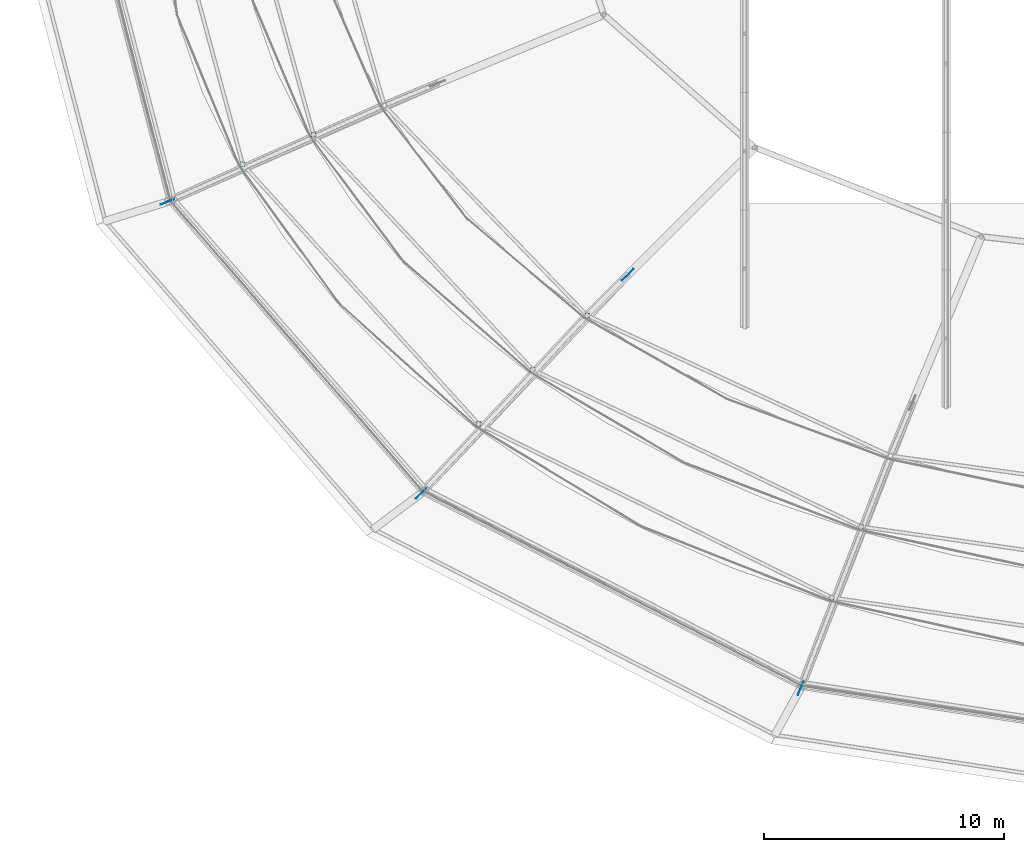
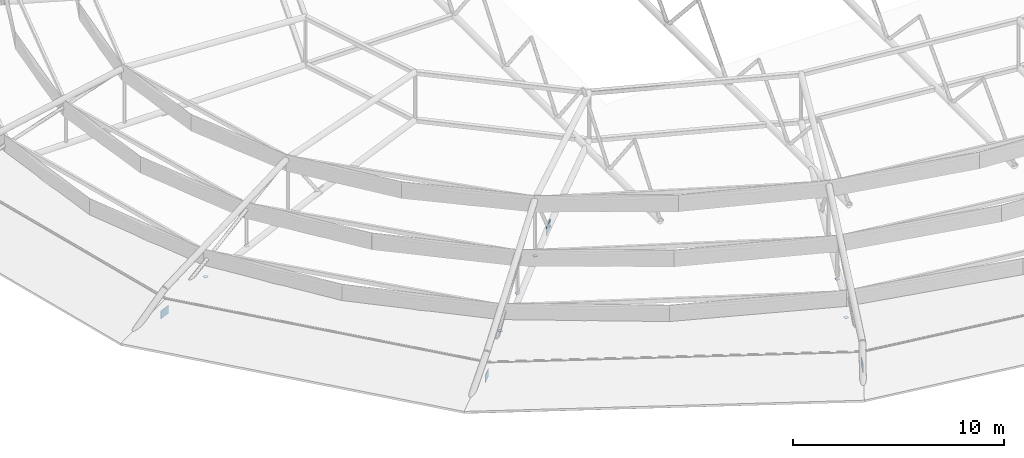
# One storey, part 113 of 134: 11 plates.
"""IFC4 building model written with IfcOpenShell, lengths in metres."""

import ifcopenshell
import ifcopenshell.guid

model = None  # the IFC model being written
_history = None  # IfcOwnerHistory: only IFC2X3 demands one
_inside = {}  # id of a spatial element -> (the spatial element, [elements in it])
_under = {}  # id of a project, library or spatial element -> (it, [spatial elements below it])
_declared = {}  # id of a project -> (the project, [libraries it declares])
_typed = {}  # id of a type object -> (the type object, [elements of that type])
_made_of = {}  # id of a material, layer set ... -> (it, [elements and type objects made of it])


def new_model(schema):
    """Start an empty IFC model of exactly this schema.

    Asked for "IFC4X3", IfcOpenShell would pick the latest addendum, in which some entities
    have other attributes; the version numbers below select the first issue.
    IFC2X3 requires an IfcOwnerHistory on every rooted entity: one is made here for all.
    """
    global model, _history
    if schema == "IFC4X3":
        model = ifcopenshell.file(schema_version=(4, 3, 0, 0))
    else:
        model = ifcopenshell.file(schema=schema)
    _inside.clear()
    _under.clear()
    _declared.clear()
    _typed.clear()
    _made_of.clear()
    _history = None
    if model.schema == "IFC2X3":
        org = make("IfcOrganization", Name="unknown")
        user = make(
            "IfcPersonAndOrganization",
            ThePerson=make("IfcPerson", FamilyName="unknown"),
            TheOrganization=org,
        )
        app = make(
            "IfcApplication",
            ApplicationDeveloper=org,
            Version="unknown",
            ApplicationFullName="unknown",
            ApplicationIdentifier="unknown",
        )
        _history = make(
            "IfcOwnerHistory",
            OwningUser=user,
            OwningApplication=app,
            ChangeAction="ADDED",
            CreationDate=0,
        )
    return model


def make(cls, **values):
    """One entity of the class cls with the attributes given. An attribute that is None is left unset."""
    return model.create_entity(
        cls, **{name: value for name, value in values.items() if value is not None}
    )


def rooted(cls, **values):
    """An entity with a GlobalId (a new one), such as an element, a storey or a relation."""
    return make(cls, GlobalId=ifcopenshell.guid.new(), OwnerHistory=_history, **values)


def si_unit(unit_type, name, prefix=None):
    """IfcSIUnit, for example si_unit("LENGTHUNIT", "METRE", prefix="MILLI")."""
    return make("IfcSIUnit", UnitType=unit_type, Prefix=prefix, Name=name)


def derived_unit(unit_type, elements):
    """IfcDerivedUnit: a product of units, each with its exponent."""
    return make(
        "IfcDerivedUnit",
        Elements=[
            make("IfcDerivedUnitElement", Unit=unit, Exponent=power)
            for unit, power in elements
        ],
        UnitType=unit_type,
    )


def assignment(units):
    """IfcUnitAssignment: the units of a project."""
    return None if units is None else make("IfcUnitAssignment", Units=units)


def point(xyz):
    """IfcCartesianPoint."""
    return None if xyz is None else make("IfcCartesianPoint", Coordinates=xyz)


def direction(xyz):
    """IfcDirection."""
    return None if xyz is None else make("IfcDirection", DirectionRatios=xyz)


def frame(location, z_axis=None, x_axis=None):
    """IfcAxis2Placement3D, a coordinate frame: its origin and axes. An axis left out is left unset."""
    return make(
        "IfcAxis2Placement3D",
        Location=point(location),
        Axis=direction(z_axis),
        RefDirection=direction(x_axis),
    )


def frame_2d(location, x_axis=None):
    """IfcAxis2Placement2D, a coordinate frame in the plane: its origin and x axis."""
    return make(
        "IfcAxis2Placement2D", Location=point(location), RefDirection=direction(x_axis)
    )


def origin():
    """The frame at (0, 0, 0) with its axes left unset."""
    return frame((0.0, 0.0, 0.0))


def origin_2d():
    """The frame at (0, 0) in the plane with its x axis left unset."""
    return frame_2d((0.0, 0.0))


def place(relative_to, where):
    """IfcLocalPlacement: puts the frame where relative to a parent placement (None: the world)."""
    return make(
        "IfcLocalPlacement", PlacementRelTo=relative_to, RelativePlacement=where
    )


def context(
    kind, dimensions, precision=None, world=None, true_north=None, identifier=None
):
    """IfcGeometricRepresentationContext, for example the 3D "Model" context."""
    return make(
        "IfcGeometricRepresentationContext",
        ContextIdentifier=identifier,
        ContextType=kind,
        CoordinateSpaceDimension=dimensions,
        Precision=precision,
        WorldCoordinateSystem=world,
        TrueNorth=true_north,
    )


def subcontext(parent, identifier, kind, view, scale=None):
    """IfcGeometricRepresentationSubContext, for example "Body" below "Model"."""
    return make(
        "IfcGeometricRepresentationSubContext",
        ContextIdentifier=identifier,
        ContextType=kind,
        ParentContext=parent,
        TargetScale=scale,
        TargetView=view,
    )


def project(units=None, contexts=None):
    """IfcProject with its units and contexts."""
    return rooted(
        "IfcProject",
        Name="project",
        RepresentationContexts=contexts,
        UnitsInContext=assignment(units),
    )


def spatial(cls, under=None, at=None, **own):
    """A site, building, storey or space (cls), placed at a placement, below another one or the project."""
    s = rooted(cls, ObjectPlacement=at, **own)
    if under is not None:
        _under.setdefault(under.id(), (under, []))[1].append(s)
    return s


def profile(cls, at=None, kind="AREA", **sizes):
    """A parametric profile (cls). Its sizes go by their IFC names, for example OverallWidth=200.0."""
    return make(cls, ProfileType=kind, Position=at, **sizes)


def rectangle(**sizes):
    """IfcRectangleProfileDef."""
    return profile("IfcRectangleProfileDef", **sizes)


def extrude(swept, where, along, depth):
    """IfcExtrudedAreaSolid: the profile swept, set in the frame where, extruded along a direction by depth."""
    return make(
        "IfcExtrudedAreaSolid",
        SweptArea=swept,
        Position=where,
        ExtrudedDirection=direction(along),
        Depth=depth,
    )


def shape(context_of_items, identifier, shape_type, items):
    """IfcShapeRepresentation: the items that make up one representation, for example the "Body"."""
    return make(
        "IfcShapeRepresentation",
        ContextOfItems=context_of_items,
        RepresentationIdentifier=identifier,
        RepresentationType=shape_type,
        Items=items,
    )


def material(Name=None, Category=None):
    """IfcMaterial."""
    return make("IfcMaterial", Name=Name, Category=Category)


def layer(
    of_material, thickness, ventilated=None, Name=None, Category=None, Priority=None
):
    """IfcMaterialLayer: one layer of a wall or slab, of a material (None: an air gap)."""
    return make(
        "IfcMaterialLayer",
        Material=of_material,
        LayerThickness=thickness,
        IsVentilated=ventilated,
        Name=Name,
        Category=Category,
        Priority=Priority,
    )


def layer_set(layers, Name=None):
    """IfcMaterialLayerSet."""
    return make("IfcMaterialLayerSet", MaterialLayers=layers, LayerSetName=Name)


def made_of(thing, what):
    """Note that an element or type object is made of a material, layer set ...; save() writes the relation."""
    if what is not None:
        _made_of.setdefault(what.id(), (what, []))[1].append(thing)
    return thing


def type_object(cls, material=None, **own):
    """A type object (cls), such as IfcWallType, which elements share."""
    return made_of(rooted(cls, **own), material)


def element(
    cls,
    number,
    at=None,
    inside=None,
    cuts=None,
    type_object=None,
    material=None,
    context=None,
    identifier="Body",
    shape_type=None,
    held_by="IfcProductDefinitionShape",
    body=None,
    shapes=None,
    **own,
):
    """One element of the class cls, such as IfcWall. Its Tag is "e" and its number.

    at: its placement. inside: the storey or other place that contains it. cuts: it is an
    opening in that element (IfcRelVoidsElement). A single representation is given by context,
    identifier, shape_type and body (its items); several are given by shapes. held_by: the class
    of the entity that holds the representations. save() writes the other relations.
    """
    e = rooted(cls, Tag="e%d" % number, ObjectPlacement=at, **own)
    if body is not None:
        shapes = [shape(context, identifier, shape_type, body)]
    if shapes is not None:
        e.Representation = make(held_by, Representations=shapes)
    if inside is not None:
        _inside.setdefault(inside.id(), (inside, []))[1].append(e)
    if cuts is not None:
        rooted(
            "IfcRelVoidsElement", RelatingBuildingElement=cuts, RelatedOpeningElement=e
        )
    if type_object is not None:
        _typed.setdefault(type_object.id(), (type_object, []))[1].append(e)
    return made_of(e, material)


def aggregate(whole, parts):
    """IfcRelAggregates: a whole, such as a stair, and the parts it consists of."""
    return rooted("IfcRelAggregates", RelatingObject=whole, RelatedObjects=parts)


def save(model, path):
    """Write the relations noted so far, then the file.

    IfcRelAggregates (storeys below a building ...), IfcRelContainedInSpatialStructure (elements
    in a storey), IfcRelDefinesByType, IfcRelAssociatesMaterial and IfcRelDeclares: one each for
    every whole, place, type object, material and project.
    """
    for whole, parts in _under.values():
        aggregate(whole, parts)
    for where, things in _inside.values():
        rooted(
            "IfcRelContainedInSpatialStructure",
            RelatedElements=things,
            RelatingStructure=where,
        )
    for kind, things in _typed.values():
        rooted("IfcRelDefinesByType", RelatedObjects=things, RelatingType=kind)
    for what, things in _made_of.values():
        rooted("IfcRelAssociatesMaterial", RelatedObjects=things, RelatingMaterial=what)
    for by, libraries in _declared.values():
        rooted("IfcRelDeclares", RelatingContext=by, RelatedDefinitions=libraries)
    model.write(path)


model = new_model("IFC4")

# Units and contexts
model_context = context("Model", 3, precision=1e-05, world=origin(), true_north=direction((0.0, 1.0)))
body_context = subcontext(model_context, "Body", "Model", "MODEL_VIEW")
ifc_project = project(units=[si_unit("LENGTHUNIT", "METRE"), si_unit("AREAUNIT", "SQUARE_METRE"), si_unit("VOLUMEUNIT", "CUBIC_METRE"), si_unit("PLANEANGLEUNIT", "RADIAN"), si_unit("MASSUNIT", "GRAM", prefix="KILO"), derived_unit("THERMALTRANSMITTANCEUNIT", [(si_unit("MASSUNIT", "GRAM", prefix="KILO"), 1), (si_unit("TIMEUNIT", "SECOND"), -3), (si_unit("THERMODYNAMICTEMPERATUREUNIT", "KELVIN"), -1)])], contexts=[model_context])

# Site, building, storey
site_placement = place(None, origin())
site = spatial("IfcSite", under=ifc_project, at=site_placement, CompositionType="ELEMENT")
building_placement = place(site_placement, origin())
building = spatial("IfcBuilding", under=site, at=building_placement, Name="Kharveza Railside Sports Centre", CompositionType="ELEMENT")
storey_placement = place(building_placement, frame((0.0, 0.0, 12.89990234375)))
storey = spatial("IfcBuildingStorey", under=building, at=storey_placement, Name="L03", CompositionType="ELEMENT", Elevation=12.89990234375)

# Plates
ifc_material = material(Name="Steel S355J2", Category="steel")
ifc_layer_1 = layer(ifc_material, 0.02001953125, Name="Steel S355J2")
ifc_layer_set_1 = layer_set([ifc_layer_1], Name="Steel S355J2")
plate_type_1 = type_object("IfcPlateType", Name="PL-EC09", PredefinedType="USERDEFINED", material=ifc_layer_set_1)
for number, where, z_axis, x_axis, name in (
    (1, (12.656005859375, 37.618408203125, -0.059814453125), (0.0, 0.0, 1.0), (1.0, 0.0, 0.0), "PLT-EC-029"),
    (2, (22.497314453125, 26.78271484375, -0.059814453125), (0.0, 0.0, 1.0), (1.0, 0.0, 0.0), "PLT-EC-030"),
    (3, (37.226318359375, 19.54248046875, -0.059814453125), (0.0, 0.0, 1.0), (1.0, 0.0, 0.0), "PLT-EC-031"),
    (4, (15.6123046875, 38.843017578125, -0.059814453125), (0.0, 0.0, 1.0), (1.0, 0.0, 0.0), "PLT-EC-045"),
    (5, (24.760009765625, 29.04541015625, -0.059814453125), (0.0, 0.0, 1.0), (1.0, 0.0, 0.0), "PLT-EC-046"),
    (6, (38.45068359375, 22.498779296875, -0.059814453125), (0.0, 0.0, 1.0), (1.0, 0.0, 0.0), "PLT-EC-047"),
    (7, (27.022705078125, 31.30810546875, -0.059814453125), (0.0, 0.0, 1.0), (1.0, 0.0, 0.0), "PLT-EC-062"),
):
    element("IfcPlate", number, at=place(storey_placement, frame(where, z_axis=z_axis, x_axis=x_axis)), inside=storey, type_object=plate_type_1, Name=name, ObjectType="END_CAP_PLATE", PredefinedType="USERDEFINED", context=body_context, shape_type="SweptSolid", body=[
        extrude(rectangle(XDim=0.194091796875, YDim=0.194091796875, at=origin_2d()), origin(), (0.0, 0.0, 1.0), 0.02001953125),
    ])
ifc_layer_2 = layer(ifc_material, 0.030029296875, Name="Steel S355J2")
ifc_layer_set_2 = layer_set([ifc_layer_2], Name="Steel S355J2")
plate_type_2 = type_object("IfcPlateType", Name="PL-GS01", PredefinedType="USERDEFINED", material=ifc_layer_set_2)
plate_placement = place(storey_placement, frame((28.719970703125, 33.005126953125, -0.309814453125), z_axis=(0.0, 0.0, 1.0), x_axis=(-0.707106781187, -0.707106781187, 0.0)))
element("IfcPlate", 8, at=plate_placement, inside=storey, type_object=plate_type_2, Name="PLT-GS-DRUM-11", ObjectType="GUSSET_PLATE", PredefinedType="USERDEFINED", context=body_context, shape_type="SweptSolid", body=[
    extrude(rectangle(XDim=0.679931640625, YDim=0.030029296875, at=origin_2d()), origin(), (0.0, 0.0, 1.0), 0.52001953125),
])
ifc_layer_3 = layer(ifc_material, 0.02490234375, Name="Steel S355J2")
ifc_layer_set_3 = layer_set([ifc_layer_3], Name="Steel S355J2")
plate_type_3 = type_object("IfcPlateType", Name="PL-GS02", PredefinedType="USERDEFINED", material=ifc_layer_set_3)
for number, where, z_axis, x_axis, name in (
    (9, (9.5146484375, 36.04931640625, -0.27978515625), (0.0, 0.0, 1.0), (-0.923879532511, -0.382683432365, 0.0), "PLT-GS-RAKER-10"),
    (10, (20.09326171875, 23.883544921875, -0.27978515625), (0.0, 0.0, 1.0), (-0.707106781187, -0.707106781187, 0.0), "PLT-GS-RAKER-11"),
    (11, (35.925048828125, 15.75439453125, -0.27978515625), (0.0, 0.0, 1.0), (-0.382683432365, -0.923879532511, 0.0), "PLT-GS-RAKER-12"),
):
    element("IfcPlate", number, at=place(storey_placement, frame(where, z_axis=z_axis, x_axis=x_axis)), inside=storey, type_object=plate_type_3, Name=name, ObjectType="GUSSET_PLATE", PredefinedType="USERDEFINED", context=body_context, shape_type="SweptSolid", body=[
        extrude(rectangle(XDim=0.60009765625, YDim=0.02490234375, at=origin_2d()), origin(), (0.0, 0.0, 1.0), 0.4599609375),
    ])

save(model, "model.ifc")
